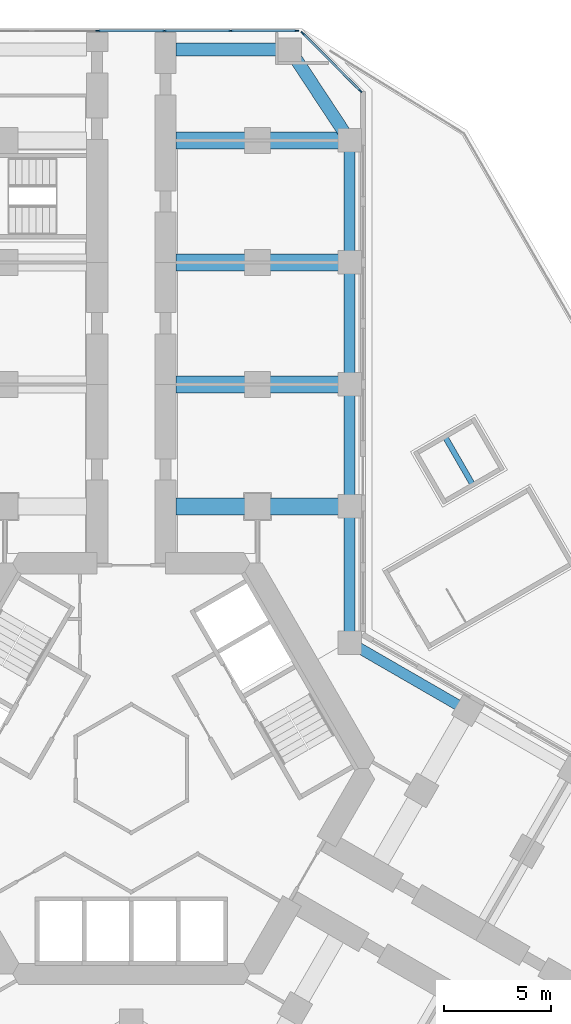
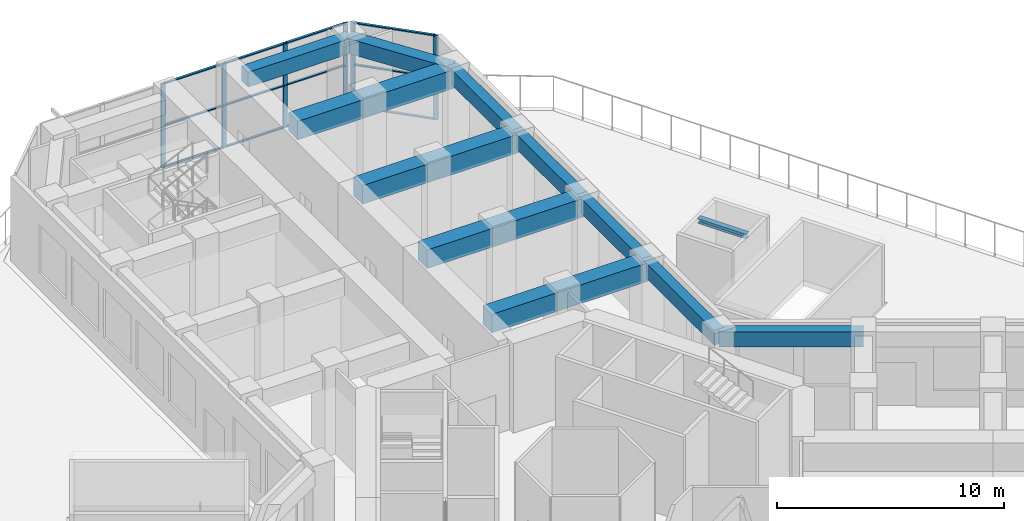
# One storey, part 6 of 18: 18 members, 12 beams, 2 elements without a shape of their own.
"""IFC4 building model written with IfcOpenShell, lengths in metres."""

from ifc_helpers import new_model, si_unit, direction, frame, origin, origin_2d, place, context, subcontext, project, spatial, rectangle, i_section, extrude, material, material_profile, profile_set, type_object, element, aggregate, save


model = new_model("IFC4")

# Units and contexts
model_context = context("Model", 3, precision=1e-05, world=origin(), true_north=direction((0.0, 1.0)))
body_context = subcontext(model_context, "Body", "Model", "MODEL_VIEW")
ifc_project = project(units=[si_unit("LENGTHUNIT", "METRE"), si_unit("AREAUNIT", "SQUARE_METRE"), si_unit("VOLUMEUNIT", "CUBIC_METRE"), si_unit("PLANEANGLEUNIT", "RADIAN"), si_unit("MASSUNIT", "GRAM", prefix="KILO")], contexts=[model_context])

# Site, building, storey
site_placement = place(None, origin())
site = spatial("IfcSite", under=ifc_project, at=site_placement, CompositionType="ELEMENT")
building_placement = place(site_placement, origin())
building = spatial("IfcBuilding", under=site, at=building_placement, Name="Kosmar Iwan School Tower", CompositionType="ELEMENT")
storey_placement = place(building_placement, frame((0.0, 0.0, 20.39990234375)))
storey = spatial("IfcBuildingStorey", under=building, at=storey_placement, Name="L04", CompositionType="ELEMENT", Elevation=20.39990234375)

# Beam
ifc_material_1 = material(Name="Steel S355", Category="steel")
ifc_material_profile_1 = material_profile(ifc_material_1, i_section(OverallWidth=0.260009765625, OverallDepth=0.260009765625, WebThickness=0.010009765625, FlangeThickness=0.017578125, FilletRadius=0.02392578125, at=origin_2d()), Name="HE 260 B")
ifc_profile_set_1 = profile_set([ifc_material_profile_1], Name="Steel S355")
beam_type_1 = type_object("IfcBeamType", Name="Lift lifting beam HE 260 B", PredefinedType="BEAM", material=ifc_profile_set_1)
beam_1_placement = place(storey_placement, frame((15.935302734375, 13.29931640625, 3.070068359375), z_axis=(-0.500004234368, 0.866022959057, 0.0), x_axis=(-0.866022959057, -0.500004234368, 0.0)))
element("IfcBeam", 1, at=beam_1_placement, inside=storey, type_object=beam_type_1, Name="Lift SL1 lifting beam", PredefinedType="BEAM", context=body_context, shape_type="SweptSolid", body=[
    extrude(i_section(OverallWidth=0.260009765625, OverallDepth=0.260009765625, WebThickness=0.010009765625, FlangeThickness=0.017578125, FilletRadius=0.02392578125, at=origin_2d()), origin(), (0.0, 0.0, 1.0), 2.5),
])

# Curtain wall, members
ifc_material_2 = material(Name="Dark glass in black aluminium frame", Category="aluminium")
curtain_wall_type_1 = type_object("IfcCurtainWallType", Name="Chamfer curtain wall dark glass", PredefinedType="USERDEFINED", material=ifc_material_2)
curtain_wall_1_placement = place(storey_placement, origin())
curtain_wall_1 = element("IfcCurtainWall", 2, at=curtain_wall_1_placement, inside=storey, type_object=curtain_wall_type_1, Name="Curtain wall L04-F07", ObjectType="FACETED CURTAIN WALL", PredefinedType="USERDEFINED")
ifc_material_3 = material(Name="Black anodised aluminium", Category="aluminium")
ifc_material_profile_2 = material_profile(ifc_material_3, rectangle(XDim=0.06494140625, YDim=0.219970703125, at=origin_2d()), Name="MULLION 65x220")
ifc_profile_set_2 = profile_set([ifc_material_profile_2], Name="Black anodised aluminium")
member_type_1 = type_object("IfcMemberType", Name="Podium mullion 65x220", PredefinedType="MULLION", material=ifc_profile_set_2)
member_1_placement = place(storey_placement, frame((10.696044921875, 31.67724609375, 0.0), z_axis=(0.0, 0.0, 1.0), x_axis=(-0.707106781187, -0.707106781187, 0.0)))
member_1 = element("IfcMember", 3, at=member_1_placement, type_object=member_type_1, Name="CW2 mullion 1", PredefinedType="MULLION", context=body_context, shape_type="SweptSolid", body=[
    extrude(rectangle(XDim=0.06494140625, YDim=0.219970703125, at=origin_2d()), origin(), (0.0, 0.0, 1.0), 4.550048828125),
])
member_2_placement = place(storey_placement, frame((8.02734375, 34.345947265625, 0.0), z_axis=(0.0, 0.0, 1.0), x_axis=(-0.707106781187, -0.707106781187, 0.0)))
member_2 = element("IfcMember", 4, at=member_2_placement, type_object=member_type_1, Name="CW2 mullion 2", PredefinedType="MULLION", context=body_context, shape_type="SweptSolid", body=[
    extrude(rectangle(XDim=0.06494140625, YDim=0.219970703125, at=origin_2d()), origin(), (0.0, 0.0, 1.0), 4.550048828125),
])

ifc_material_4 = material(Name="Dark glass in black aluminium frame", Category="aluminium")
curtain_wall_type_2 = type_object("IfcCurtainWallType", Name="Tower curtain wall dark glass", PredefinedType="USERDEFINED", material=ifc_material_4)
curtain_wall_2_placement = place(storey_placement, origin())
curtain_wall_2 = element("IfcCurtainWall", 5, at=curtain_wall_2_placement, inside=storey, type_object=curtain_wall_type_2, Name="Curtain wall L04-F08", ObjectType="UNITISED CURTAIN WALL", PredefinedType="USERDEFINED")
member_3_placement = place(storey_placement, frame((7.7158203125, 34.47509765625, 0.0), z_axis=(0.0, 0.0, 1.0), x_axis=(0.0, -1.0, 0.0)))
member_3 = element("IfcMember", 6, at=member_3_placement, type_object=member_type_1, Name="CW1 mullion 1", PredefinedType="MULLION", context=body_context, shape_type="SweptSolid", body=[
    extrude(rectangle(XDim=0.06494140625, YDim=0.219970703125, at=origin_2d()), origin(), (0.0, 0.0, 1.0), 4.550048828125),
])
member_4_placement = place(storey_placement, frame((4.64892578125, 34.47509765625, 0.0), z_axis=(0.0, 0.0, 1.0), x_axis=(0.0, -1.0, 0.0)))
member_4 = element("IfcMember", 7, at=member_4_placement, type_object=member_type_1, Name="CW1 mullion 2", PredefinedType="MULLION", context=body_context, shape_type="SweptSolid", body=[
    extrude(rectangle(XDim=0.06494140625, YDim=0.219970703125, at=origin_2d()), origin(), (0.0, 0.0, 1.0), 4.550048828125),
])
member_5_placement = place(storey_placement, frame((1.549560546875, 34.47509765625, 0.0), z_axis=(0.0, 0.0, 1.0), x_axis=(0.0, -1.0, 0.0)))
member_5 = element("IfcMember", 8, at=member_5_placement, type_object=member_type_1, Name="CW1 mullion 3", PredefinedType="MULLION", context=body_context, shape_type="SweptSolid", body=[
    extrude(rectangle(XDim=0.06494140625, YDim=0.219970703125, at=origin_2d()), origin(), (0.0, 0.0, 1.0), 4.550048828125),
])
member_6_placement = place(storey_placement, frame((-1.549560546875, 34.47509765625, 0.0), z_axis=(0.0, 0.0, 1.0), x_axis=(0.0, -1.0, 0.0)))
member_6 = element("IfcMember", 9, at=member_6_placement, type_object=member_type_1, Name="CW1 mullion 4", PredefinedType="MULLION", context=body_context, shape_type="SweptSolid", body=[
    extrude(rectangle(XDim=0.06494140625, YDim=0.219970703125, at=origin_2d()), origin(), (0.0, 0.0, 1.0), 4.550048828125),
])

# Beams
ifc_material_5 = material(Name="Concrete C50/60", Category="concrete")
ifc_material_profile_3 = material_profile(ifc_material_5, rectangle(XDim=0.5, YDim=0.800048828125, at=origin_2d()), Name="RC 500x800")
ifc_profile_set_3 = profile_set([ifc_material_profile_3], Name="Concrete C50/60")
beam_type_2 = type_object("IfcBeamType", Name="RC edge beam 500x800", PredefinedType="BEAM", material=ifc_profile_set_3)
beam_2_placement = place(storey_placement, frame((10.199951171875, 5.888916015625, 4.150146484375), z_axis=(0.0, 1.0, 0.0), x_axis=(-1.0, 0.0, 0.0)))
element("IfcBeam", 10, at=beam_2_placement, inside=storey, type_object=beam_type_2, Name="Edge beam AR1", PredefinedType="BEAM", context=body_context, shape_type="SweptSolid", body=[
    extrude(rectangle(XDim=0.5, YDim=0.800048828125, at=origin_2d()), origin(), (0.0, 0.0, 1.0), 6.361083984375),
])
for number, where, z_axis, x_axis, name in (
    (11, (10.199951171875, 12.25, 4.150146484375), (0.0, 1.0, 0.0), (-1.0, 0.0, 0.0), "Edge beam AR2"),
    (12, (10.199951171875, 17.949951171875, 4.150146484375), (0.0, 1.0, 0.0), (-1.0, 0.0, 0.0), "Edge beam AR3"),
):
    element("IfcBeam", number, at=place(storey_placement, frame(where, z_axis=z_axis, x_axis=x_axis)), inside=storey, type_object=beam_type_2, Name=name, PredefinedType="BEAM", context=body_context, shape_type="SweptSolid", body=[
        extrude(rectangle(XDim=0.5, YDim=0.800048828125, at=origin_2d()), origin(), (0.0, 0.0, 1.0), 5.699951171875),
    ])
beam_3_placement = place(storey_placement, frame((10.199951171875, 23.64990234375, 4.150146484375), z_axis=(0.0, 1.0, 0.0), x_axis=(-1.0, 0.0, 0.0)))
element("IfcBeam", 13, at=beam_3_placement, inside=storey, type_object=beam_type_2, Name="Edge beam AR4", PredefinedType="BEAM", context=body_context, shape_type="SweptSolid", body=[
    extrude(rectangle(XDim=0.5, YDim=0.800048828125, at=origin_2d()), origin(), (0.0, 0.0, 1.0), 5.7001953125),
])
beam_4_placement = place(storey_placement, frame((10.199951171875, 5.888916015625, 4.150146484375), z_axis=(0.866030912664, -0.49999045822, 0.0), x_axis=(0.49999045822, 0.866030912664, 0.0)))
element("IfcBeam", 14, at=beam_4_placement, inside=storey, type_object=beam_type_2, Name="Edge beam CL1", PredefinedType="BEAM", context=body_context, shape_type="SweptSolid", body=[
    extrude(rectangle(XDim=0.5, YDim=0.800048828125, at=origin_2d()), origin(), (0.0, 0.0, 1.0), 6.36083984375),
])
ifc_material_6 = material(Name="Concrete C50/60", Category="concrete")
ifc_material_profile_4 = material_profile(ifc_material_6, rectangle(XDim=0.60009765625, YDim=0.800048828125, at=origin_2d()), Name="RC 600x800")
ifc_profile_set_4 = profile_set([ifc_material_profile_4], Name="Concrete C50/60")
beam_type_3 = type_object("IfcBeamType", Name="RC tip beam 600x800", PredefinedType="BEAM", material=ifc_profile_set_4)
beam_5_placement = place(storey_placement, frame((10.199951171875, 29.35009765625, 4.150146484375), z_axis=(-0.550164383043, 0.835056376319, 0.0), x_axis=(-0.835056376319, -0.550164383043, 0.0)))
element("IfcBeam", 15, at=beam_5_placement, inside=storey, type_object=beam_type_3, Name="Tip beam AR", PredefinedType="BEAM", context=body_context, shape_type="SweptSolid", body=[
    extrude(rectangle(XDim=0.60009765625, YDim=0.800048828125, at=origin_2d()), origin(), (0.0, 0.0, 1.0), 5.08935546875),
])
beam_6_placement = place(storey_placement, frame((7.39990234375, 33.60009765625, 4.150146484375), z_axis=(-1.0, 0.0, 0.0), x_axis=(0.0, -1.0, 0.0)))
element("IfcBeam", 16, at=beam_6_placement, inside=storey, type_object=beam_type_3, Name="Tip beam AR to corridor wall", PredefinedType="BEAM", context=body_context, shape_type="SweptSolid", body=[
    extrude(rectangle(XDim=0.60009765625, YDim=0.800048828125, at=origin_2d()), origin(), (0.0, 0.0, 1.0), 5.2998046875),
])
ifc_material_7 = material(Name="Concrete C50/60", Category="concrete")
ifc_material_profile_5 = material_profile(ifc_material_7, rectangle(XDim=0.800048828125, YDim=1.0, at=origin_2d()), Name="RC 800x1000")
ifc_profile_set_5 = profile_set([ifc_material_profile_5], Name="Concrete C50/60")
beam_type_4 = type_object("IfcBeamType", Name="RC transverse beam 800x1000", PredefinedType="BEAM", material=ifc_profile_set_5)
for number, where, z_axis, x_axis, name in (
    (17, (10.199951171875, 12.25, 4.050048828125), (-1.0, 0.0, 0.0), (0.0, -1.0, 0.0), "Transverse beam AR1"),
    (18, (10.199951171875, 17.949951171875, 4.050048828125), (-1.0, 0.0, 0.0), (0.0, -1.0, 0.0), "Transverse beam AR2"),
    (19, (10.199951171875, 23.64990234375, 4.050048828125), (-1.0, 0.0, 0.0), (0.0, -1.0, 0.0), "Transverse beam AR3"),
    (20, (10.199951171875, 29.35009765625, 4.050048828125), (-1.0, 0.0, 0.0), (0.0, -1.0, 0.0), "Transverse beam AR4"),
):
    element("IfcBeam", number, at=place(storey_placement, frame(where, z_axis=z_axis, x_axis=x_axis)), inside=storey, type_object=beam_type_4, Name=name, PredefinedType="BEAM", context=body_context, shape_type="SweptSolid", body=[
        extrude(rectangle(XDim=0.800048828125, YDim=1.0, at=origin_2d()), origin(), (0.0, 0.0, 1.0), 8.099853515625),
    ])

# Member
ifc_material_8 = material(Name="Black anodised aluminium", Category="aluminium")
ifc_material_profile_6 = material_profile(ifc_material_8, rectangle(XDim=0.1201171875, YDim=0.06005859375, at=origin_2d()), Name="TRANSOM 60x120")
ifc_profile_set_6 = profile_set([ifc_material_profile_6], Name="Black anodised aluminium")
member_type_2 = type_object("IfcMemberType", Name="Transom 60x120", PredefinedType="USERDEFINED", material=ifc_profile_set_6)
member_7_placement = place(storey_placement, frame((10.6728515625, 31.7001953125, 0.030029296875), z_axis=(-0.707073868772, 0.70713969207, 0.0), x_axis=(-0.70713969207, -0.707073868772, 0.0)))
member_7 = element("IfcMember", 21, at=member_7_placement, type_object=member_type_2, Name="CW2 transom 1.1", ObjectType="TRANSOM", PredefinedType="USERDEFINED", context=body_context, shape_type="SweptSolid", body=[
    extrude(rectangle(XDim=0.1201171875, YDim=0.06005859375, at=origin_2d()), origin(), (0.0, 0.0, 1.0), 3.708984375),
])

member_8_placement = place(storey_placement, frame((10.6728515625, 31.7001953125, 2.275146484375), z_axis=(-0.707073868772, 0.70713969207, 0.0), x_axis=(-0.70713969207, -0.707073868772, 0.0)))
member_8 = element("IfcMember", 22, at=member_8_placement, type_object=member_type_2, Name="CW2 transom 1.2", ObjectType="TRANSOM", PredefinedType="USERDEFINED", context=body_context, shape_type="SweptSolid", body=[
    extrude(rectangle(XDim=0.1201171875, YDim=0.06005859375, at=origin_2d()), origin(), (0.0, 0.0, 1.0), 3.708984375),
])

member_9_placement = place(storey_placement, frame((10.6728515625, 31.7001953125, 4.52001953125), z_axis=(-0.707073868772, 0.70713969207, 0.0), x_axis=(-0.70713969207, -0.707073868772, 0.0)))
member_9 = element("IfcMember", 23, at=member_9_placement, type_object=member_type_2, Name="CW2 transom 1.3", ObjectType="TRANSOM", PredefinedType="USERDEFINED", context=body_context, shape_type="SweptSolid", body=[
    extrude(rectangle(XDim=0.1201171875, YDim=0.06005859375, at=origin_2d()), origin(), (0.0, 0.0, 1.0), 3.708984375),
])

aggregate(curtain_wall_1, [member_1, member_2, member_7, member_8, member_9])

member_10_placement = place(storey_placement, frame((7.68310546875, 34.47509765625, 0.030029296875), z_axis=(-1.0, 0.0, 0.0), x_axis=(0.0, -1.0, 0.0)))
member_10 = element("IfcMember", 24, at=member_10_placement, type_object=member_type_2, Name="CW1 transom 1.1", ObjectType="TRANSOM", PredefinedType="USERDEFINED", context=body_context, shape_type="SweptSolid", body=[
    extrude(rectangle(XDim=0.1201171875, YDim=0.06005859375, at=origin_2d()), origin(), (0.0, 0.0, 1.0), 3.001708984375),
])

member_11_placement = place(storey_placement, frame((7.68310546875, 34.47509765625, 2.275146484375), z_axis=(-1.0, 0.0, 0.0), x_axis=(0.0, -1.0, 0.0)))
member_11 = element("IfcMember", 25, at=member_11_placement, type_object=member_type_2, Name="CW1 transom 1.2", ObjectType="TRANSOM", PredefinedType="USERDEFINED", context=body_context, shape_type="SweptSolid", body=[
    extrude(rectangle(XDim=0.1201171875, YDim=0.06005859375, at=origin_2d()), origin(), (0.0, 0.0, 1.0), 3.001708984375),
])

member_12_placement = place(storey_placement, frame((7.68310546875, 34.47509765625, 4.52001953125), z_axis=(-1.0, 0.0, 0.0), x_axis=(0.0, -1.0, 0.0)))
member_12 = element("IfcMember", 26, at=member_12_placement, type_object=member_type_2, Name="CW1 transom 1.3", ObjectType="TRANSOM", PredefinedType="USERDEFINED", context=body_context, shape_type="SweptSolid", body=[
    extrude(rectangle(XDim=0.1201171875, YDim=0.06005859375, at=origin_2d()), origin(), (0.0, 0.0, 1.0), 3.001708984375),
])

member_13_placement = place(storey_placement, frame((4.616455078125, 34.47509765625, 0.030029296875), z_axis=(-1.0, 0.0, 0.0), x_axis=(0.0, -1.0, 0.0)))
member_13 = element("IfcMember", 27, at=member_13_placement, type_object=member_type_2, Name="CW1 transom 2.1", ObjectType="TRANSOM", PredefinedType="USERDEFINED", context=body_context, shape_type="SweptSolid", body=[
    extrude(rectangle(XDim=0.1201171875, YDim=0.06005859375, at=origin_2d()), origin(), (0.0, 0.0, 1.0), 3.034423828125),
])

member_14_placement = place(storey_placement, frame((4.616455078125, 34.47509765625, 2.275146484375), z_axis=(-1.0, 0.0, 0.0), x_axis=(0.0, -1.0, 0.0)))
member_14 = element("IfcMember", 28, at=member_14_placement, type_object=member_type_2, Name="CW1 transom 2.2", ObjectType="TRANSOM", PredefinedType="USERDEFINED", context=body_context, shape_type="SweptSolid", body=[
    extrude(rectangle(XDim=0.1201171875, YDim=0.06005859375, at=origin_2d()), origin(), (0.0, 0.0, 1.0), 3.034423828125),
])

member_15_placement = place(storey_placement, frame((4.616455078125, 34.47509765625, 4.52001953125), z_axis=(-1.0, 0.0, 0.0), x_axis=(0.0, -1.0, 0.0)))
member_15 = element("IfcMember", 29, at=member_15_placement, type_object=member_type_2, Name="CW1 transom 2.3", ObjectType="TRANSOM", PredefinedType="USERDEFINED", context=body_context, shape_type="SweptSolid", body=[
    extrude(rectangle(XDim=0.1201171875, YDim=0.06005859375, at=origin_2d()), origin(), (0.0, 0.0, 1.0), 3.034423828125),
])

member_16_placement = place(storey_placement, frame((1.51708984375, 34.47509765625, 0.030029296875), z_axis=(-1.0, 0.0, 0.0), x_axis=(0.0, -1.0, 0.0)))
member_16 = element("IfcMember", 30, at=member_16_placement, type_object=member_type_2, Name="CW1 transom 3.1", ObjectType="TRANSOM", PredefinedType="USERDEFINED", context=body_context, shape_type="SweptSolid", body=[
    extrude(rectangle(XDim=0.1201171875, YDim=0.06005859375, at=origin_2d()), origin(), (0.0, 0.0, 1.0), 3.0341796875),
])

member_17_placement = place(storey_placement, frame((1.51708984375, 34.47509765625, 2.275146484375), z_axis=(-1.0, 0.0, 0.0), x_axis=(0.0, -1.0, 0.0)))
member_17 = element("IfcMember", 31, at=member_17_placement, type_object=member_type_2, Name="CW1 transom 3.2", ObjectType="TRANSOM", PredefinedType="USERDEFINED", context=body_context, shape_type="SweptSolid", body=[
    extrude(rectangle(XDim=0.1201171875, YDim=0.06005859375, at=origin_2d()), origin(), (0.0, 0.0, 1.0), 3.0341796875),
])

member_18_placement = place(storey_placement, frame((1.51708984375, 34.47509765625, 4.52001953125), z_axis=(-1.0, 0.0, 0.0), x_axis=(0.0, -1.0, 0.0)))
member_18 = element("IfcMember", 32, at=member_18_placement, type_object=member_type_2, Name="CW1 transom 3.3", ObjectType="TRANSOM", PredefinedType="USERDEFINED", context=body_context, shape_type="SweptSolid", body=[
    extrude(rectangle(XDim=0.1201171875, YDim=0.06005859375, at=origin_2d()), origin(), (0.0, 0.0, 1.0), 3.0341796875),
])

aggregate(curtain_wall_2, [member_3, member_4, member_5, member_6, member_10, member_11, member_12, member_13, member_14, member_15, member_16, member_17, member_18])

save(model, "model.ifc")
